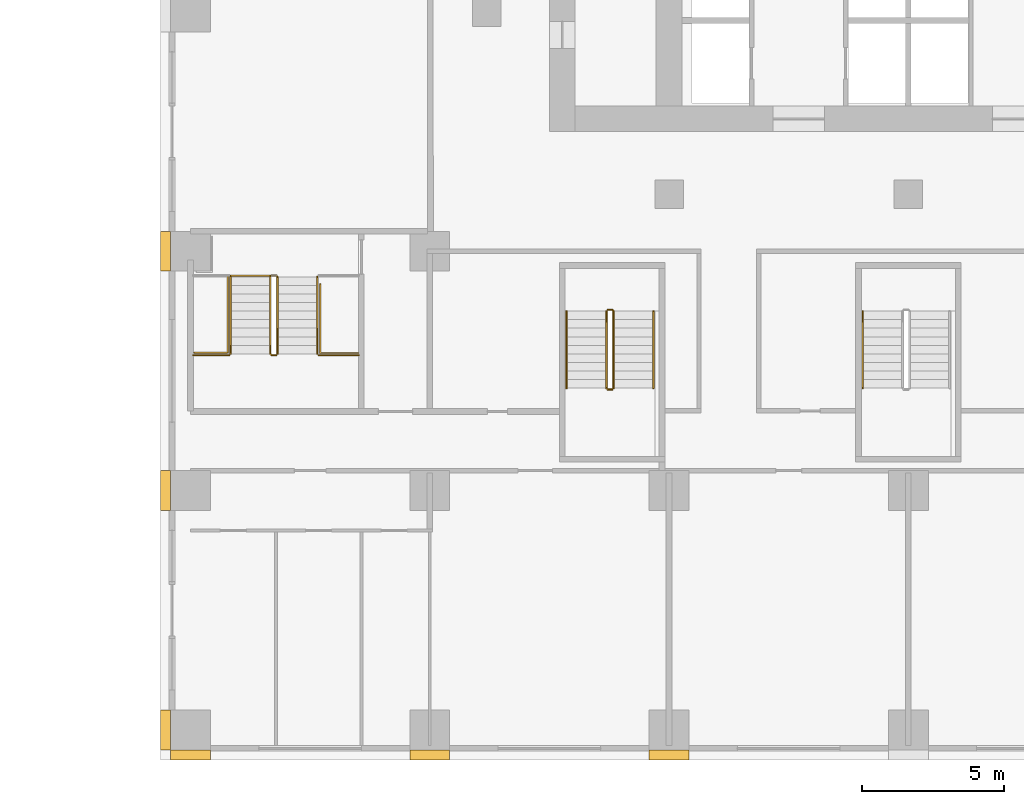
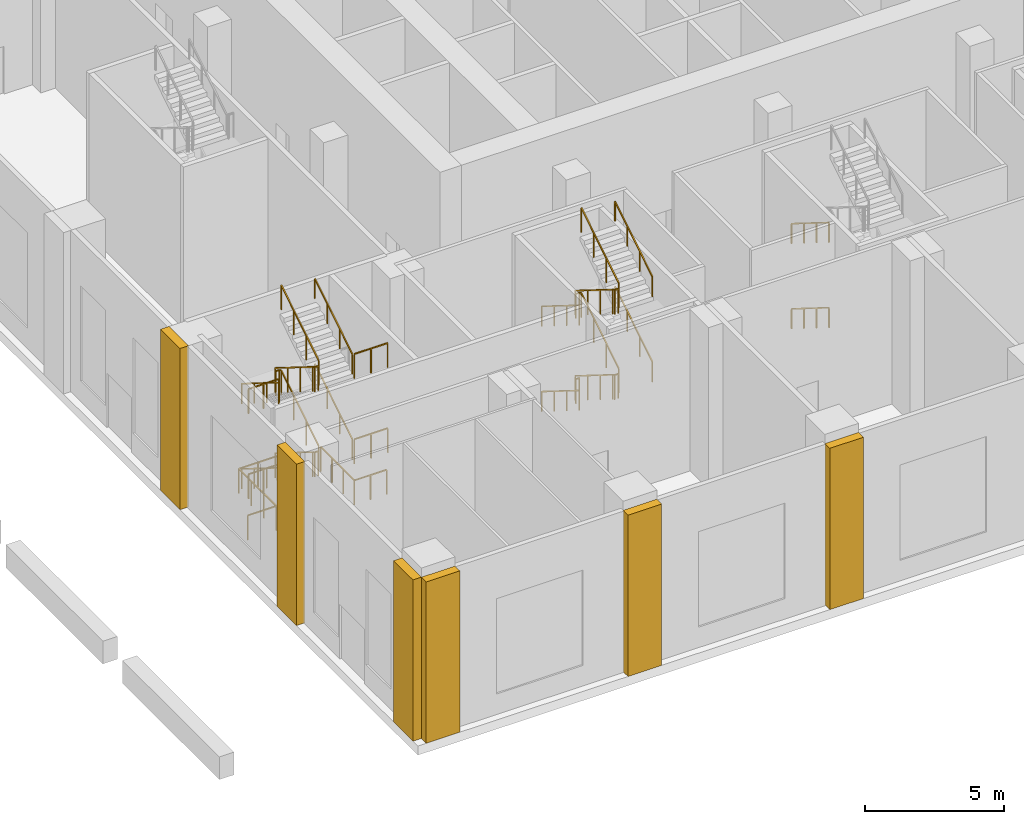
# One storey, part 18 of 29: 25 railings, 6 coverings.
"""IFC4 building model written with IfcOpenShell, lengths in metres."""

from ifc_helpers import new_model, si_unit, direction, frame, origin, origin_2d, place, context, subcontext, project, spatial, polyline, rectangle, outline, extrude, material, type_object, element, save


model = new_model("IFC4")

# Units and contexts
model_context = context("Model", 3, precision=1e-05, world=origin(), true_north=direction((0.0, 1.0)))
body_context = subcontext(model_context, "Body", "Model", "MODEL_VIEW")
ifc_project = project(units=[si_unit("LENGTHUNIT", "METRE"), si_unit("AREAUNIT", "SQUARE_METRE"), si_unit("VOLUMEUNIT", "CUBIC_METRE"), si_unit("PLANEANGLEUNIT", "RADIAN"), si_unit("MASSUNIT", "GRAM", prefix="KILO")], contexts=[model_context])

# Site, building, storey
site_placement = place(None, origin())
site = spatial("IfcSite", under=ifc_project, at=site_placement, CompositionType="ELEMENT")
building_placement = place(site_placement, origin())
building = spatial("IfcBuilding", under=site, at=building_placement, Name="Vermilion Ogive Tower", CompositionType="ELEMENT")
storey_placement = place(building_placement, frame((0.0, 0.0, 12.5)))
storey = spatial("IfcBuildingStorey", under=building, at=storey_placement, Name="L02", CompositionType="ELEMENT", Elevation=12.5)

# Railings
ifc_material_1 = material(Name="Steel S355 painted", Category="steel")
railing_type_1 = type_object("IfcRailingType", Name="Stair guard 1100", PredefinedType="GUARDRAIL", material=ifc_material_1)
railing_1_placement = place(storey_placement, frame((-10.60009765625, -14.699951171875, 0.1875)))
element("IfcRailing", 1, at=railing_1_placement, inside=storey, type_object=railing_type_1, Name="L02 ST3 stair guard 1", PredefinedType="GUARDRAIL", context=body_context, shape_type="SweptSolid", body=[
    extrude(rectangle(XDim=0.048095703125, YDim=0.048095703125, at=origin_2d()), frame((0.0, 0.0, 1.076171875), z_axis=(0.0, -0.847993996163, 0.530005832488), x_axis=(1.0, 0.0, 0.0)), (0.0, 0.0, 1.0), 3.183837890625),
    extrude(rectangle(XDim=0.048095703125, YDim=0.048095703125, at=origin_2d()), frame((0.0, -2.699951171875, 2.763671875), z_axis=(0.707106781187, -0.707106781187, 0.0), x_axis=(0.707106781187, 0.707106781187, 0.0)), (0.0, 0.0, 1.0), 0.07080078125),
    extrude(rectangle(XDim=0.048095703125, YDim=0.048095703125, at=origin_2d()), frame((0.050048828125, -2.75, 2.763671875), z_axis=(1.0, 0.0, 0.0), x_axis=(0.0, 1.0, 0.0)), (0.0, 0.0, 1.0), 0.150146484375),
    extrude(rectangle(XDim=0.0419921875, YDim=0.0419921875, at=origin_2d()), origin(), (0.0, 0.0, 1.0), 1.052001953125),
    extrude(rectangle(XDim=0.0419921875, YDim=0.0419921875, at=origin_2d()), frame((0.0, -0.89990234375, 0.5625)), (0.0, 0.0, 1.0), 1.052001953125),
    extrude(rectangle(XDim=0.0419921875, YDim=0.0419921875, at=origin_2d()), frame((0.0, -1.800048828125, 1.125)), (0.0, 0.0, 1.0), 1.052001953125),
    extrude(rectangle(XDim=0.0419921875, YDim=0.0419921875, at=origin_2d()), frame((0.0, -2.699951171875, 1.6875)), (0.0, 0.0, 1.0), 1.052001953125),
    extrude(rectangle(XDim=0.0419921875, YDim=0.0419921875, at=origin_2d()), frame((0.050048828125, -2.75, 1.6875)), (0.0, 0.0, 1.0), 1.052001953125),
    extrude(rectangle(XDim=0.0419921875, YDim=0.0419921875, at=origin_2d()), frame((0.2001953125, -2.75, 1.6875)), (0.0, 0.0, 1.0), 1.052001953125),
])
railing_2_placement = place(storey_placement, frame((-10.35009765625, -17.39990234375, 2.0625)))
element("IfcRailing", 2, at=railing_2_placement, inside=storey, type_object=railing_type_1, Name="L02 ST3 stair guard 3", PredefinedType="GUARDRAIL", context=body_context, shape_type="SweptSolid", body=[
    extrude(rectangle(XDim=0.048095703125, YDim=0.048095703125, at=origin_2d()), frame((0.0, 0.0, 1.076171875), z_axis=(0.0, 0.847993996163, 0.530005832488), x_axis=(-1.0, 0.0, 0.0)), (0.0, 0.0, 1.0), 3.183837890625),
    extrude(rectangle(XDim=0.048095703125, YDim=0.048095703125, at=origin_2d()), frame((0.0, 2.699951171875, 2.763671875), z_axis=(-0.705375805398, 0.708833529934, 0.0), x_axis=(-0.708833529934, -0.705375805398, 0.0)), (0.0, 0.0, 1.0), 0.070556640625),
    extrude(rectangle(XDim=0.048095703125, YDim=0.048095703125, at=origin_2d()), frame((-0.0498046875, 2.75, 2.763671875), z_axis=(-1.0, 0.0, 0.0), x_axis=(0.0, -1.0, 0.0)), (0.0, 0.0, 1.0), 0.150146484375),
    extrude(rectangle(XDim=0.0419921875, YDim=0.0419921875, at=origin_2d()), origin(), (0.0, 0.0, 1.0), 1.052001953125),
    extrude(rectangle(XDim=0.0419921875, YDim=0.0419921875, at=origin_2d()), frame((0.0, 0.89990234375, 0.5625)), (0.0, 0.0, 1.0), 1.052001953125),
    extrude(rectangle(XDim=0.0419921875, YDim=0.0419921875, at=origin_2d()), frame((0.0, 1.800048828125, 1.125)), (0.0, 0.0, 1.0), 1.052001953125),
    extrude(rectangle(XDim=0.0419921875, YDim=0.0419921875, at=origin_2d()), frame((0.0, 2.699951171875, 1.6875)), (0.0, 0.0, 1.0), 1.052001953125),
    extrude(rectangle(XDim=0.0419921875, YDim=0.0419921875, at=origin_2d()), frame((-0.0498046875, 2.75, 1.6875)), (0.0, 0.0, 1.0), 1.052001953125),
    extrude(rectangle(XDim=0.0419921875, YDim=0.0419921875, at=origin_2d()), frame((-0.199951171875, 2.75, 1.6875)), (0.0, 0.0, 1.0), 1.052001953125),
])
railing_3_placement = place(storey_placement, frame((-10.60009765625, -14.699951171875, 3.9375)))
element("IfcRailing", 3, at=railing_3_placement, inside=storey, type_object=railing_type_1, Name="L02 ST3 stair guard 5", PredefinedType="GUARDRAIL", context=body_context, shape_type="SweptSolid", body=[
    extrude(rectangle(XDim=0.048095703125, YDim=0.048095703125, at=origin_2d()), frame((0.0, 0.0, 1.076171875), z_axis=(0.0, -0.847993996163, 0.530005832488), x_axis=(1.0, 0.0, 0.0)), (0.0, 0.0, 1.0), 3.183837890625),
    extrude(rectangle(XDim=0.048095703125, YDim=0.048095703125, at=origin_2d()), frame((0.0, -2.699951171875, 2.763671875), z_axis=(0.707106781187, -0.707106781187, 0.0), x_axis=(0.707106781187, 0.707106781187, 0.0)), (0.0, 0.0, 1.0), 0.07080078125),
    extrude(rectangle(XDim=0.048095703125, YDim=0.048095703125, at=origin_2d()), frame((0.050048828125, -2.75, 2.763671875), z_axis=(1.0, 0.0, 0.0), x_axis=(0.0, 1.0, 0.0)), (0.0, 0.0, 1.0), 0.150146484375),
    extrude(rectangle(XDim=0.0419921875, YDim=0.0419921875, at=origin_2d()), origin(), (0.0, 0.0, 1.0), 1.052001953125),
    extrude(rectangle(XDim=0.0419921875, YDim=0.0419921875, at=origin_2d()), frame((0.0, -0.89990234375, 0.5625)), (0.0, 0.0, 1.0), 1.052001953125),
    extrude(rectangle(XDim=0.0419921875, YDim=0.0419921875, at=origin_2d()), frame((0.0, -1.800048828125, 1.125)), (0.0, 0.0, 1.0), 1.052001953125),
    extrude(rectangle(XDim=0.0419921875, YDim=0.0419921875, at=origin_2d()), frame((0.0, -2.699951171875, 1.6875)), (0.0, 0.0, 1.0), 1.052001953125),
    extrude(rectangle(XDim=0.0419921875, YDim=0.0419921875, at=origin_2d()), frame((0.050048828125, -2.75, 1.6875)), (0.0, 0.0, 1.0), 1.052001953125),
    extrude(rectangle(XDim=0.0419921875, YDim=0.0419921875, at=origin_2d()), frame((0.2001953125, -2.75, 1.6875)), (0.0, 0.0, 1.0), 1.052001953125),
])
railing_4_placement = place(storey_placement, frame((-10.35009765625, -17.39990234375, 5.8125)))
element("IfcRailing", 4, at=railing_4_placement, inside=storey, type_object=railing_type_1, Name="L02 ST3 stair guard 7", PredefinedType="GUARDRAIL", context=body_context, shape_type="SweptSolid", body=[
    extrude(rectangle(XDim=0.048095703125, YDim=0.048095703125, at=origin_2d()), frame((0.0, 0.0, 1.076171875), z_axis=(0.0, 0.847993996163, 0.530005832488), x_axis=(-1.0, 0.0, 0.0)), (0.0, 0.0, 1.0), 3.183837890625),
    extrude(rectangle(XDim=0.0419921875, YDim=0.0419921875, at=origin_2d()), origin(), (0.0, 0.0, 1.0), 1.052001953125),
    extrude(rectangle(XDim=0.0419921875, YDim=0.0419921875, at=origin_2d()), frame((0.0, 0.89990234375, 0.5625)), (0.0, 0.0, 1.0), 1.052001953125),
    extrude(rectangle(XDim=0.0419921875, YDim=0.0419921875, at=origin_2d()), frame((0.0, 1.800048828125, 1.125)), (0.0, 0.0, 1.0), 1.052001953125),
    extrude(rectangle(XDim=0.0419921875, YDim=0.0419921875, at=origin_2d()), frame((0.0, 2.699951171875, 1.6875)), (0.0, 0.0, 1.0), 1.052001953125),
])
railing_5_placement = place(storey_placement, frame((-10.550048828125, -14.64990234375, 0.0)))
element("IfcRailing", 5, at=railing_5_placement, inside=storey, type_object=railing_type_1, Name="L02 ST3 stair guard 8", PredefinedType="GUARDRAIL", context=body_context, shape_type="SweptSolid", body=[
    extrude(rectangle(XDim=0.048095703125, YDim=0.048095703125, at=origin_2d()), frame((0.0, 0.0, 1.076171875), z_axis=(1.0, 0.0, 0.0), x_axis=(0.0, 1.0, 0.0)), (0.0, 0.0, 1.0), 0.150146484375),
    extrude(rectangle(XDim=0.0419921875, YDim=0.0419921875, at=origin_2d()), origin(), (0.0, 0.0, 1.0), 1.052001953125),
    extrude(rectangle(XDim=0.0419921875, YDim=0.0419921875, at=origin_2d()), frame((0.150146484375, 0.0, 0.0)), (0.0, 0.0, 1.0), 1.052001953125),
])
railing_6_placement = place(storey_placement, frame((-22.39990234375, -13.5, 0.1875)))
element("IfcRailing", 6, at=railing_6_placement, inside=storey, type_object=railing_type_1, Name="L02 PS4 stair guard 1", PredefinedType="GUARDRAIL", context=body_context, shape_type="SweptSolid", body=[
    extrude(rectangle(XDim=0.048095703125, YDim=0.048095703125, at=origin_2d()), frame((0.0, 0.0, 1.076171875), z_axis=(0.0, -0.847993996163, 0.530005832488), x_axis=(1.0, 0.0, 0.0)), (0.0, 0.0, 1.0), 3.183837890625),
    extrude(rectangle(XDim=0.048095703125, YDim=0.048095703125, at=origin_2d()), frame((0.0, -2.699951171875, 2.763671875), z_axis=(0.705375805398, -0.708833529934, 0.0), x_axis=(0.708833529934, 0.705375805398, 0.0)), (0.0, 0.0, 1.0), 0.070556640625),
    extrude(rectangle(XDim=0.048095703125, YDim=0.048095703125, at=origin_2d()), frame((0.0498046875, -2.75, 2.763671875), z_axis=(1.0, 0.0, 0.0), x_axis=(0.0, 1.0, 0.0)), (0.0, 0.0, 1.0), 0.150146484375),
    extrude(rectangle(XDim=0.0419921875, YDim=0.0419921875, at=origin_2d()), origin(), (0.0, 0.0, 1.0), 1.052001953125),
    extrude(rectangle(XDim=0.0419921875, YDim=0.0419921875, at=origin_2d()), frame((0.0, -0.89990234375, 0.5625)), (0.0, 0.0, 1.0), 1.052001953125),
    extrude(rectangle(XDim=0.0419921875, YDim=0.0419921875, at=origin_2d()), frame((0.0, -1.800048828125, 1.125)), (0.0, 0.0, 1.0), 1.052001953125),
    extrude(rectangle(XDim=0.0419921875, YDim=0.0419921875, at=origin_2d()), frame((0.0, -2.699951171875, 1.6875)), (0.0, 0.0, 1.0), 1.052001953125),
    extrude(rectangle(XDim=0.0419921875, YDim=0.0419921875, at=origin_2d()), frame((0.0498046875, -2.75, 1.6875)), (0.0, 0.0, 1.0), 1.052001953125),
    extrude(rectangle(XDim=0.0419921875, YDim=0.0419921875, at=origin_2d()), frame((0.199951171875, -2.75, 1.6875)), (0.0, 0.0, 1.0), 1.052001953125),
])
railing_7_placement = place(storey_placement, frame((-22.14990234375, -16.199951171875, 2.0625)))
element("IfcRailing", 7, at=railing_7_placement, inside=storey, type_object=railing_type_1, Name="L02 PS4 stair guard 3", PredefinedType="GUARDRAIL", context=body_context, shape_type="SweptSolid", body=[
    extrude(rectangle(XDim=0.048095703125, YDim=0.048095703125, at=origin_2d()), frame((0.0, 0.0, 1.076171875), z_axis=(0.0, 0.847993996163, 0.530005832488), x_axis=(-1.0, 0.0, 0.0)), (0.0, 0.0, 1.0), 3.183837890625),
    extrude(rectangle(XDim=0.048095703125, YDim=0.048095703125, at=origin_2d()), frame((0.0, 2.699951171875, 2.763671875), z_axis=(-0.707106781187, 0.707106781187, 0.0), x_axis=(-0.707106781187, -0.707106781187, 0.0)), (0.0, 0.0, 1.0), 0.07080078125),
    extrude(rectangle(XDim=0.048095703125, YDim=0.048095703125, at=origin_2d()), frame((-0.050048828125, 2.75, 2.763671875), z_axis=(-1.0, 0.0, 0.0), x_axis=(0.0, -1.0, 0.0)), (0.0, 0.0, 1.0), 0.150146484375),
    extrude(rectangle(XDim=0.0419921875, YDim=0.0419921875, at=origin_2d()), origin(), (0.0, 0.0, 1.0), 1.052001953125),
    extrude(rectangle(XDim=0.0419921875, YDim=0.0419921875, at=origin_2d()), frame((0.0, 0.89990234375, 0.5625)), (0.0, 0.0, 1.0), 1.052001953125),
    extrude(rectangle(XDim=0.0419921875, YDim=0.0419921875, at=origin_2d()), frame((0.0, 1.800048828125, 1.125)), (0.0, 0.0, 1.0), 1.052001953125),
    extrude(rectangle(XDim=0.0419921875, YDim=0.0419921875, at=origin_2d()), frame((0.0, 2.699951171875, 1.6875)), (0.0, 0.0, 1.0), 1.052001953125),
    extrude(rectangle(XDim=0.0419921875, YDim=0.0419921875, at=origin_2d()), frame((-0.050048828125, 2.75, 1.6875)), (0.0, 0.0, 1.0), 1.052001953125),
    extrude(rectangle(XDim=0.0419921875, YDim=0.0419921875, at=origin_2d()), frame((-0.2001953125, 2.75, 1.6875)), (0.0, 0.0, 1.0), 1.052001953125),
])
railing_8_placement = place(storey_placement, frame((-22.39990234375, -13.5, 3.9375)))
element("IfcRailing", 8, at=railing_8_placement, inside=storey, type_object=railing_type_1, Name="L02 PS4 stair guard 5", PredefinedType="GUARDRAIL", context=body_context, shape_type="SweptSolid", body=[
    extrude(rectangle(XDim=0.048095703125, YDim=0.048095703125, at=origin_2d()), frame((0.0, 0.0, 1.076171875), z_axis=(0.0, -0.847993996163, 0.530005832488), x_axis=(1.0, 0.0, 0.0)), (0.0, 0.0, 1.0), 3.183837890625),
    extrude(rectangle(XDim=0.048095703125, YDim=0.048095703125, at=origin_2d()), frame((0.0, -2.699951171875, 2.763671875), z_axis=(0.705375805398, -0.708833529934, 0.0), x_axis=(0.708833529934, 0.705375805398, 0.0)), (0.0, 0.0, 1.0), 0.070556640625),
    extrude(rectangle(XDim=0.048095703125, YDim=0.048095703125, at=origin_2d()), frame((0.0498046875, -2.75, 2.763671875), z_axis=(1.0, 0.0, 0.0), x_axis=(0.0, 1.0, 0.0)), (0.0, 0.0, 1.0), 0.150146484375),
    extrude(rectangle(XDim=0.0419921875, YDim=0.0419921875, at=origin_2d()), origin(), (0.0, 0.0, 1.0), 1.052001953125),
    extrude(rectangle(XDim=0.0419921875, YDim=0.0419921875, at=origin_2d()), frame((0.0, -0.89990234375, 0.5625)), (0.0, 0.0, 1.0), 1.052001953125),
    extrude(rectangle(XDim=0.0419921875, YDim=0.0419921875, at=origin_2d()), frame((0.0, -1.800048828125, 1.125)), (0.0, 0.0, 1.0), 1.052001953125),
    extrude(rectangle(XDim=0.0419921875, YDim=0.0419921875, at=origin_2d()), frame((0.0, -2.699951171875, 1.6875)), (0.0, 0.0, 1.0), 1.052001953125),
    extrude(rectangle(XDim=0.0419921875, YDim=0.0419921875, at=origin_2d()), frame((0.0498046875, -2.75, 1.6875)), (0.0, 0.0, 1.0), 1.052001953125),
    extrude(rectangle(XDim=0.0419921875, YDim=0.0419921875, at=origin_2d()), frame((0.199951171875, -2.75, 1.6875)), (0.0, 0.0, 1.0), 1.052001953125),
])
railing_9_placement = place(storey_placement, frame((-22.14990234375, -16.199951171875, 5.8125)))
element("IfcRailing", 9, at=railing_9_placement, inside=storey, type_object=railing_type_1, Name="L02 PS4 stair guard 7", PredefinedType="GUARDRAIL", context=body_context, shape_type="SweptSolid", body=[
    extrude(rectangle(XDim=0.048095703125, YDim=0.048095703125, at=origin_2d()), frame((0.0, 0.0, 1.076171875), z_axis=(0.0, 0.847993996163, 0.530005832488), x_axis=(-1.0, 0.0, 0.0)), (0.0, 0.0, 1.0), 3.183837890625),
    extrude(rectangle(XDim=0.0419921875, YDim=0.0419921875, at=origin_2d()), origin(), (0.0, 0.0, 1.0), 1.052001953125),
    extrude(rectangle(XDim=0.0419921875, YDim=0.0419921875, at=origin_2d()), frame((0.0, 0.89990234375, 0.5625)), (0.0, 0.0, 1.0), 1.052001953125),
    extrude(rectangle(XDim=0.0419921875, YDim=0.0419921875, at=origin_2d()), frame((0.0, 1.800048828125, 1.125)), (0.0, 0.0, 1.0), 1.052001953125),
    extrude(rectangle(XDim=0.0419921875, YDim=0.0419921875, at=origin_2d()), frame((0.0, 2.699951171875, 1.6875)), (0.0, 0.0, 1.0), 1.052001953125),
])
railing_10_placement = place(storey_placement, frame((-25.10009765625, -16.25, 1.875)))
element("IfcRailing", 10, at=railing_10_placement, inside=storey, type_object=railing_type_1, Name="L02 landing guard", PredefinedType="GUARDRAIL", context=body_context, shape_type="SweptSolid", body=[
    extrude(rectangle(XDim=0.048095703125, YDim=0.048095703125, at=origin_2d()), frame((0.0, 0.0, 1.076171875), z_axis=(1.0, 0.0, 0.0), x_axis=(0.0, 1.0, 0.0)), (0.0, 0.0, 1.0), 1.25),
    extrude(rectangle(XDim=0.0419921875, YDim=0.0419921875, at=origin_2d()), origin(), (0.0, 0.0, 1.0), 1.052001953125),
    extrude(rectangle(XDim=0.0419921875, YDim=0.0419921875, at=origin_2d()), frame((0.625, 0.0, 0.0)), (0.0, 0.0, 1.0), 1.052001953125),
    extrude(rectangle(XDim=0.0419921875, YDim=0.0419921875, at=origin_2d()), frame((1.25, 0.0, 0.0)), (0.0, 0.0, 1.0), 1.052001953125),
])
railing_11_placement = place(storey_placement, frame((-20.699951171875, -16.25, 1.875)))
element("IfcRailing", 11, at=railing_11_placement, inside=storey, type_object=railing_type_1, Name="L02 landing guard", PredefinedType="GUARDRAIL", context=body_context, shape_type="SweptSolid", body=[
    extrude(rectangle(XDim=0.048095703125, YDim=0.048095703125, at=origin_2d()), frame((0.0, 0.0, 1.076171875), z_axis=(1.0, 0.0, 0.0), x_axis=(0.0, 1.0, 0.0)), (0.0, 0.0, 1.0), 1.39990234375),
    extrude(rectangle(XDim=0.0419921875, YDim=0.0419921875, at=origin_2d()), origin(), (0.0, 0.0, 1.0), 1.052001953125),
    extrude(rectangle(XDim=0.0419921875, YDim=0.0419921875, at=origin_2d()), frame((0.699951171875, 0.0, 0.0)), (0.0, 0.0, 1.0), 1.052001953125),
    extrude(rectangle(XDim=0.0419921875, YDim=0.0419921875, at=origin_2d()), frame((1.39990234375, 0.0, 0.0)), (0.0, 0.0, 1.0), 1.052001953125),
])
railing_12_placement = place(storey_placement, frame((-25.10009765625, -16.25, 5.625)))
element("IfcRailing", 12, at=railing_12_placement, inside=storey, type_object=railing_type_1, Name="L02 landing guard", PredefinedType="GUARDRAIL", context=body_context, shape_type="SweptSolid", body=[
    extrude(rectangle(XDim=0.048095703125, YDim=0.048095703125, at=origin_2d()), frame((0.0, 0.0, 1.076171875), z_axis=(1.0, 0.0, 0.0), x_axis=(0.0, 1.0, 0.0)), (0.0, 0.0, 1.0), 1.25),
    extrude(rectangle(XDim=0.0419921875, YDim=0.0419921875, at=origin_2d()), origin(), (0.0, 0.0, 1.0), 1.052001953125),
    extrude(rectangle(XDim=0.0419921875, YDim=0.0419921875, at=origin_2d()), frame((0.625, 0.0, 0.0)), (0.0, 0.0, 1.0), 1.052001953125),
    extrude(rectangle(XDim=0.0419921875, YDim=0.0419921875, at=origin_2d()), frame((1.25, 0.0, 0.0)), (0.0, 0.0, 1.0), 1.052001953125),
])
railing_13_placement = place(storey_placement, frame((-20.699951171875, -16.25, 5.625)))
element("IfcRailing", 13, at=railing_13_placement, inside=storey, type_object=railing_type_1, Name="L02 landing guard", PredefinedType="GUARDRAIL", context=body_context, shape_type="SweptSolid", body=[
    extrude(rectangle(XDim=0.048095703125, YDim=0.048095703125, at=origin_2d()), frame((0.0, 0.0, 1.076171875), z_axis=(1.0, 0.0, 0.0), x_axis=(0.0, 1.0, 0.0)), (0.0, 0.0, 1.0), 1.39990234375),
    extrude(rectangle(XDim=0.0419921875, YDim=0.0419921875, at=origin_2d()), origin(), (0.0, 0.0, 1.0), 1.052001953125),
    extrude(rectangle(XDim=0.0419921875, YDim=0.0419921875, at=origin_2d()), frame((0.699951171875, 0.0, 0.0)), (0.0, 0.0, 1.0), 1.052001953125),
    extrude(rectangle(XDim=0.0419921875, YDim=0.0419921875, at=origin_2d()), frame((1.39990234375, 0.0, 0.0)), (0.0, 0.0, 1.0), 1.052001953125),
])
railing_14_placement = place(storey_placement, frame((-25.081787109375, -16.156982421875, 0.0)))
element("IfcRailing", 14, at=railing_14_placement, inside=storey, type_object=railing_type_1, Name="L02 stair opening guard", PredefinedType="GUARDRAIL", context=body_context, shape_type="SweptSolid", body=[
    extrude(rectangle(XDim=0.048095703125, YDim=0.048095703125, at=origin_2d()), frame((0.0, 0.0, 1.076171875), z_axis=(1.0, 0.0, 0.0), x_axis=(0.0, 1.0, 0.0)), (0.0, 0.0, 1.0), 1.18994140625),
    extrude(rectangle(XDim=0.048095703125, YDim=0.048095703125, at=origin_2d()), frame((1.18994140625, 0.0, 1.076171875), z_axis=(0.0, 1.0, 0.0), x_axis=(-1.0, 0.0, 0.0)), (0.0, 0.0, 1.0), 2.7001953125),
    extrude(rectangle(XDim=0.048095703125, YDim=0.048095703125, at=origin_2d()), frame((1.18994140625, 2.7001953125, 1.076171875), z_axis=(1.0, 0.0, 0.0), x_axis=(0.0, 1.0, 0.0)), (0.0, 0.0, 1.0), 1.60009765625),
    extrude(rectangle(XDim=0.0419921875, YDim=0.0419921875, at=origin_2d()), origin(), (0.0, 0.0, 1.0), 1.052001953125),
    extrude(rectangle(XDim=0.0419921875, YDim=0.0419921875, at=origin_2d()), frame((1.18994140625, 0.0, 0.0)), (0.0, 0.0, 1.0), 1.052001953125),
    extrude(rectangle(XDim=0.0419921875, YDim=0.0419921875, at=origin_2d()), frame((1.18994140625, 0.900146484375, 0.0)), (0.0, 0.0, 1.0), 1.052001953125),
    extrude(rectangle(XDim=0.0419921875, YDim=0.0419921875, at=origin_2d()), frame((1.18994140625, 1.800048828125, 0.0)), (0.0, 0.0, 1.0), 1.052001953125),
    extrude(rectangle(XDim=0.0419921875, YDim=0.0419921875, at=origin_2d()), frame((1.18994140625, 2.7001953125, 0.0)), (0.0, 0.0, 1.0), 1.052001953125),
    extrude(rectangle(XDim=0.0419921875, YDim=0.0419921875, at=origin_2d()), frame((1.989990234375, 2.7001953125, 0.0)), (0.0, 0.0, 1.0), 1.052001953125),
    extrude(rectangle(XDim=0.0419921875, YDim=0.0419921875, at=origin_2d()), frame((2.7900390625, 2.7001953125, 0.0)), (0.0, 0.0, 1.0), 1.052001953125),
])
railing_15_placement = place(storey_placement, frame((-20.6474609375, -13.74658203125, 0.0)))
element("IfcRailing", 15, at=railing_15_placement, inside=storey, type_object=railing_type_1, Name="L02 stair opening guard", PredefinedType="GUARDRAIL", context=body_context, shape_type="SweptSolid", body=[
    extrude(rectangle(XDim=0.048095703125, YDim=0.048095703125, at=origin_2d()), frame((0.0, 0.0, 1.076171875), z_axis=(0.0, -1.0, 0.0), x_axis=(1.0, 0.0, 0.0)), (0.0, 0.0, 1.0), 2.42431640625),
    extrude(rectangle(XDim=0.048095703125, YDim=0.048095703125, at=origin_2d()), frame((0.0, -2.42431640625, 1.076171875), z_axis=(1.0, 0.0, 0.0), x_axis=(0.0, 1.0, 0.0)), (0.0, 0.0, 1.0), 1.340087890625),
    extrude(rectangle(XDim=0.0419921875, YDim=0.0419921875, at=origin_2d()), origin(), (0.0, 0.0, 1.0), 1.052001953125),
    extrude(rectangle(XDim=0.0419921875, YDim=0.0419921875, at=origin_2d()), frame((0.0, -0.80810546875, 0.0)), (0.0, 0.0, 1.0), 1.052001953125),
    extrude(rectangle(XDim=0.0419921875, YDim=0.0419921875, at=origin_2d()), frame((0.0, -1.6162109375, 0.0)), (0.0, 0.0, 1.0), 1.052001953125),
    extrude(rectangle(XDim=0.0419921875, YDim=0.0419921875, at=origin_2d()), frame((0.0, -2.42431640625, 0.0)), (0.0, 0.0, 1.0), 1.052001953125),
    extrude(rectangle(XDim=0.0419921875, YDim=0.0419921875, at=origin_2d()), frame((0.669921875, -2.42431640625, 0.0)), (0.0, 0.0, 1.0), 1.052001953125),
    extrude(rectangle(XDim=0.0419921875, YDim=0.0419921875, at=origin_2d()), frame((1.340087890625, -2.42431640625, 0.0)), (0.0, 0.0, 1.0), 1.052001953125),
])
ifc_material_2 = material(Name="Stainless steel", Category="steel")
railing_type_2 = type_object("IfcRailingType", Name="Stair handrail 900", PredefinedType="HANDRAIL", material=ifc_material_2)
railing_16_placement = place(storey_placement, frame((-12.0, -14.699951171875, 0.1875)))
element("IfcRailing", 16, at=railing_16_placement, inside=storey, type_object=railing_type_2, Name="L02 ST3 stair handrail 1", PredefinedType="HANDRAIL", context=body_context, shape_type="SweptSolid", body=[
    extrude(rectangle(XDim=0.048095703125, YDim=0.048095703125, at=origin_2d()), frame((0.0, 0.0, 0.8759765625), z_axis=(0.0, -0.847993996163, 0.530005832488), x_axis=(1.0, 0.0, 0.0)), (0.0, 0.0, 1.0), 3.183837890625),
    extrude(rectangle(XDim=0.0419921875, YDim=0.0419921875, at=origin_2d()), origin(), (0.0, 0.0, 1.0), 0.851806640625),
    extrude(rectangle(XDim=0.0419921875, YDim=0.0419921875, at=origin_2d()), frame((0.0, -0.89990234375, 0.5625)), (0.0, 0.0, 1.0), 0.851806640625),
    extrude(rectangle(XDim=0.0419921875, YDim=0.0419921875, at=origin_2d()), frame((0.0, -1.800048828125, 1.125)), (0.0, 0.0, 1.0), 0.851806640625),
    extrude(rectangle(XDim=0.0419921875, YDim=0.0419921875, at=origin_2d()), frame((0.0, -2.699951171875, 1.6875)), (0.0, 0.0, 1.0), 0.851806640625),
])
railing_17_placement = place(storey_placement, frame((-8.949951171875, -17.39990234375, 2.0625)))
element("IfcRailing", 17, at=railing_17_placement, inside=storey, type_object=railing_type_2, Name="L02 ST3 stair handrail 2", PredefinedType="HANDRAIL", context=body_context, shape_type="SweptSolid", body=[
    extrude(rectangle(XDim=0.048095703125, YDim=0.048095703125, at=origin_2d()), frame((0.0, 0.0, 0.8759765625), z_axis=(0.0, 0.847993996163, 0.530005832488), x_axis=(-1.0, 0.0, 0.0)), (0.0, 0.0, 1.0), 3.183837890625),
    extrude(rectangle(XDim=0.0419921875, YDim=0.0419921875, at=origin_2d()), origin(), (0.0, 0.0, 1.0), 0.851806640625),
    extrude(rectangle(XDim=0.0419921875, YDim=0.0419921875, at=origin_2d()), frame((0.0, 0.89990234375, 0.5625)), (0.0, 0.0, 1.0), 0.851806640625),
    extrude(rectangle(XDim=0.0419921875, YDim=0.0419921875, at=origin_2d()), frame((0.0, 1.800048828125, 1.125)), (0.0, 0.0, 1.0), 0.851806640625),
    extrude(rectangle(XDim=0.0419921875, YDim=0.0419921875, at=origin_2d()), frame((0.0, 2.699951171875, 1.6875)), (0.0, 0.0, 1.0), 0.851806640625),
])
railing_18_placement = place(storey_placement, frame((-12.0, -14.699951171875, 3.9375)))
element("IfcRailing", 18, at=railing_18_placement, inside=storey, type_object=railing_type_2, Name="L02 ST3 stair handrail 3", PredefinedType="HANDRAIL", context=body_context, shape_type="SweptSolid", body=[
    extrude(rectangle(XDim=0.048095703125, YDim=0.048095703125, at=origin_2d()), frame((0.0, 0.0, 0.8759765625), z_axis=(0.0, -0.847993996163, 0.530005832488), x_axis=(1.0, 0.0, 0.0)), (0.0, 0.0, 1.0), 3.183837890625),
    extrude(rectangle(XDim=0.0419921875, YDim=0.0419921875, at=origin_2d()), origin(), (0.0, 0.0, 1.0), 0.851806640625),
    extrude(rectangle(XDim=0.0419921875, YDim=0.0419921875, at=origin_2d()), frame((0.0, -0.89990234375, 0.5625)), (0.0, 0.0, 1.0), 0.851806640625),
    extrude(rectangle(XDim=0.0419921875, YDim=0.0419921875, at=origin_2d()), frame((0.0, -1.800048828125, 1.125)), (0.0, 0.0, 1.0), 0.851806640625),
    extrude(rectangle(XDim=0.0419921875, YDim=0.0419921875, at=origin_2d()), frame((0.0, -2.699951171875, 1.6875)), (0.0, 0.0, 1.0), 0.851806640625),
])
railing_19_placement = place(storey_placement, frame((-8.949951171875, -17.39990234375, 5.8125)))
element("IfcRailing", 19, at=railing_19_placement, inside=storey, type_object=railing_type_2, Name="L02 ST3 stair handrail 4", PredefinedType="HANDRAIL", context=body_context, shape_type="SweptSolid", body=[
    extrude(rectangle(XDim=0.048095703125, YDim=0.048095703125, at=origin_2d()), frame((0.0, 0.0, 0.8759765625), z_axis=(0.0, 0.847993996163, 0.530005832488), x_axis=(-1.0, 0.0, 0.0)), (0.0, 0.0, 1.0), 3.183837890625),
    extrude(rectangle(XDim=0.0419921875, YDim=0.0419921875, at=origin_2d()), origin(), (0.0, 0.0, 1.0), 0.851806640625),
    extrude(rectangle(XDim=0.0419921875, YDim=0.0419921875, at=origin_2d()), frame((0.0, 0.89990234375, 0.5625)), (0.0, 0.0, 1.0), 0.851806640625),
    extrude(rectangle(XDim=0.0419921875, YDim=0.0419921875, at=origin_2d()), frame((0.0, 1.800048828125, 1.125)), (0.0, 0.0, 1.0), 0.851806640625),
    extrude(rectangle(XDim=0.0419921875, YDim=0.0419921875, at=origin_2d()), frame((0.0, 2.699951171875, 1.6875)), (0.0, 0.0, 1.0), 0.851806640625),
])
for number, where, name in (
    (20, (-1.60009765625, -14.699951171875, 0.1875), "L02 ST4 stair handrail 1"),
    (21, (-1.60009765625, -14.699951171875, 3.9375), "L02 ST4 stair handrail 3"),
    (22, (-23.800048828125, -13.5, 0.1875), "L02 PS4 stair handrail 1"),
):
    element("IfcRailing", number, at=place(storey_placement, frame(where)), inside=storey, type_object=railing_type_2, Name=name, PredefinedType="HANDRAIL", context=body_context, shape_type="SweptSolid", body=[
        extrude(rectangle(XDim=0.048095703125, YDim=0.048095703125, at=origin_2d()), frame((0.0, 0.0, 0.8759765625), z_axis=(0.0, -0.847993996163, 0.530005832488), x_axis=(1.0, 0.0, 0.0)), (0.0, 0.0, 1.0), 3.183837890625),
        extrude(rectangle(XDim=0.0419921875, YDim=0.0419921875, at=origin_2d()), origin(), (0.0, 0.0, 1.0), 0.851806640625),
        extrude(rectangle(XDim=0.0419921875, YDim=0.0419921875, at=origin_2d()), frame((0.0, -0.89990234375, 0.5625)), (0.0, 0.0, 1.0), 0.851806640625),
        extrude(rectangle(XDim=0.0419921875, YDim=0.0419921875, at=origin_2d()), frame((0.0, -1.800048828125, 1.125)), (0.0, 0.0, 1.0), 0.851806640625),
        extrude(rectangle(XDim=0.0419921875, YDim=0.0419921875, at=origin_2d()), frame((0.0, -2.699951171875, 1.6875)), (0.0, 0.0, 1.0), 0.851806640625),
    ])
railing_20_placement = place(storey_placement, frame((-20.75, -16.199951171875, 2.0625)))
element("IfcRailing", 23, at=railing_20_placement, inside=storey, type_object=railing_type_2, Name="L02 PS4 stair handrail 2", PredefinedType="HANDRAIL", context=body_context, shape_type="SweptSolid", body=[
    extrude(rectangle(XDim=0.048095703125, YDim=0.048095703125, at=origin_2d()), frame((0.0, 0.0, 0.8759765625), z_axis=(0.0, 0.847993996163, 0.530005832488), x_axis=(-1.0, 0.0, 0.0)), (0.0, 0.0, 1.0), 3.183837890625),
    extrude(rectangle(XDim=0.0419921875, YDim=0.0419921875, at=origin_2d()), origin(), (0.0, 0.0, 1.0), 0.851806640625),
    extrude(rectangle(XDim=0.0419921875, YDim=0.0419921875, at=origin_2d()), frame((0.0, 0.89990234375, 0.5625)), (0.0, 0.0, 1.0), 0.851806640625),
    extrude(rectangle(XDim=0.0419921875, YDim=0.0419921875, at=origin_2d()), frame((0.0, 1.800048828125, 1.125)), (0.0, 0.0, 1.0), 0.851806640625),
    extrude(rectangle(XDim=0.0419921875, YDim=0.0419921875, at=origin_2d()), frame((0.0, 2.699951171875, 1.6875)), (0.0, 0.0, 1.0), 0.851806640625),
])
railing_21_placement = place(storey_placement, frame((-23.800048828125, -13.5, 3.9375)))
element("IfcRailing", 24, at=railing_21_placement, inside=storey, type_object=railing_type_2, Name="L02 PS4 stair handrail 3", PredefinedType="HANDRAIL", context=body_context, shape_type="SweptSolid", body=[
    extrude(rectangle(XDim=0.048095703125, YDim=0.048095703125, at=origin_2d()), frame((0.0, 0.0, 0.8759765625), z_axis=(0.0, -0.847993996163, 0.530005832488), x_axis=(1.0, 0.0, 0.0)), (0.0, 0.0, 1.0), 3.183837890625),
    extrude(rectangle(XDim=0.0419921875, YDim=0.0419921875, at=origin_2d()), origin(), (0.0, 0.0, 1.0), 0.851806640625),
    extrude(rectangle(XDim=0.0419921875, YDim=0.0419921875, at=origin_2d()), frame((0.0, -0.89990234375, 0.5625)), (0.0, 0.0, 1.0), 0.851806640625),
    extrude(rectangle(XDim=0.0419921875, YDim=0.0419921875, at=origin_2d()), frame((0.0, -1.800048828125, 1.125)), (0.0, 0.0, 1.0), 0.851806640625),
    extrude(rectangle(XDim=0.0419921875, YDim=0.0419921875, at=origin_2d()), frame((0.0, -2.699951171875, 1.6875)), (0.0, 0.0, 1.0), 0.851806640625),
])
railing_22_placement = place(storey_placement, frame((-20.75, -16.199951171875, 5.8125)))
element("IfcRailing", 25, at=railing_22_placement, inside=storey, type_object=railing_type_2, Name="L02 PS4 stair handrail 4", PredefinedType="HANDRAIL", context=body_context, shape_type="SweptSolid", body=[
    extrude(rectangle(XDim=0.048095703125, YDim=0.048095703125, at=origin_2d()), frame((0.0, 0.0, 0.8759765625), z_axis=(0.0, 0.847993996163, 0.530005832488), x_axis=(-1.0, 0.0, 0.0)), (0.0, 0.0, 1.0), 3.183837890625),
    extrude(rectangle(XDim=0.0419921875, YDim=0.0419921875, at=origin_2d()), origin(), (0.0, 0.0, 1.0), 0.851806640625),
    extrude(rectangle(XDim=0.0419921875, YDim=0.0419921875, at=origin_2d()), frame((0.0, 0.89990234375, 0.5625)), (0.0, 0.0, 1.0), 0.851806640625),
    extrude(rectangle(XDim=0.0419921875, YDim=0.0419921875, at=origin_2d()), frame((0.0, 1.800048828125, 1.125)), (0.0, 0.0, 1.0), 0.851806640625),
    extrude(rectangle(XDim=0.0419921875, YDim=0.0419921875, at=origin_2d()), frame((0.0, 2.699951171875, 1.6875)), (0.0, 0.0, 1.0), 0.851806640625),
])

# Coverings
ifc_material_3 = material(Name="Stone cladding", Category="masonry")
covering_type = type_object("IfcCoveringType", Name="Stone pier", PredefinedType="CLADDING", material=ifc_material_3)
covering_1_placement = place(storey_placement, origin())
element("IfcCovering", 26, at=covering_1_placement, inside=storey, type_object=covering_type, Name="Stone pier P-084-294", PredefinedType="CLADDING", context=body_context, shape_type="SweptSolid", body=[
    extrude(outline(polyline([(-7.699951171875, -30.10009765625), (-7.699951171875, -30.449951171875), (-9.10009765625, -30.449951171875), (-9.10009765625, -30.10009765625), (-9.10009765625, -30.10009765625), (-7.699951171875, -30.10009765625)])), origin(), (0.0, 0.0, 1.0), 7.10009765625),
])
covering_2_placement = place(storey_placement, origin())
element("IfcCovering", 27, at=covering_2_placement, inside=storey, type_object=covering_type, Name="Stone pier P-168-294", PredefinedType="CLADDING", context=body_context, shape_type="SweptSolid", body=[
    extrude(outline(polyline([(-16.10009765625, -30.449951171875), (-17.5, -30.449951171875), (-17.5, -30.10009765625), (-16.10009765625, -30.10009765625), (-16.10009765625, -30.449951171875)])), origin(), (0.0, 0.0, 1.0), 7.10009765625),
])
covering_3_placement = place(storey_placement, origin())
element("IfcCovering", 28, at=covering_3_placement, inside=storey, type_object=covering_type, Name="Stone pier P-252-126", PredefinedType="CLADDING", context=body_context, shape_type="SweptSolid", body=[
    extrude(outline(polyline([(-25.89990234375, -13.300048828125), (-25.89990234375, -13.300048828125), (-26.25, -13.300048828125), (-26.25, -11.89990234375), (-25.89990234375, -11.89990234375), (-25.89990234375, -11.89990234375), (-25.89990234375, -13.300048828125)])), origin(), (0.0, 0.0, 1.0), 7.10009765625),
])
covering_4_placement = place(storey_placement, origin())
element("IfcCovering", 29, at=covering_4_placement, inside=storey, type_object=covering_type, Name="Stone pier P-252-210", PredefinedType="CLADDING", context=body_context, shape_type="SweptSolid", body=[
    extrude(outline(polyline([(-25.89990234375, -21.699951171875), (-25.89990234375, -21.699951171875), (-26.25, -21.699951171875), (-26.25, -20.300048828125), (-25.89990234375, -20.300048828125), (-25.89990234375, -20.300048828125), (-25.89990234375, -21.699951171875)])), origin(), (0.0, 0.0, 1.0), 7.10009765625),
])
covering_5_placement = place(storey_placement, origin())
element("IfcCovering", 30, at=covering_5_placement, inside=storey, type_object=covering_type, Name="Stone pier P-252-294S", PredefinedType="CLADDING", context=body_context, shape_type="SweptSolid", body=[
    extrude(outline(polyline([(-24.5, -30.449951171875), (-25.89990234375, -30.449951171875), (-25.89990234375, -30.10009765625), (-24.5, -30.10009765625), (-24.5, -30.449951171875)])), origin(), (0.0, 0.0, 1.0), 7.10009765625),
])
covering_6_placement = place(storey_placement, origin())
element("IfcCovering", 31, at=covering_6_placement, inside=storey, type_object=covering_type, Name="Stone pier P-252-294W", PredefinedType="CLADDING", context=body_context, shape_type="SweptSolid", body=[
    extrude(outline(polyline([(-25.89990234375, -30.10009765625), (-26.25, -30.10009765625), (-26.25, -28.699951171875), (-25.89990234375, -28.699951171875), (-25.89990234375, -28.699951171875), (-25.89990234375, -30.10009765625), (-25.89990234375, -30.10009765625)])), origin(), (0.0, 0.0, 1.0), 7.10009765625),
])

save(model, "model.ifc")
